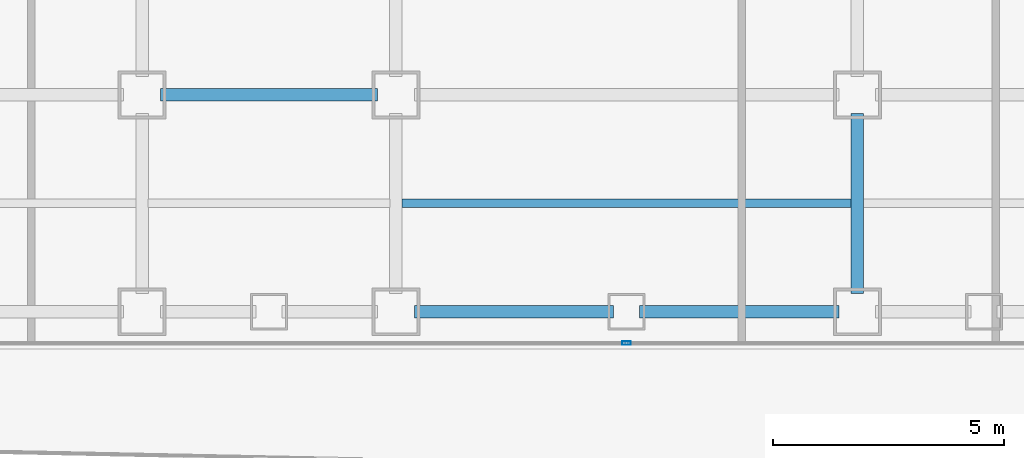
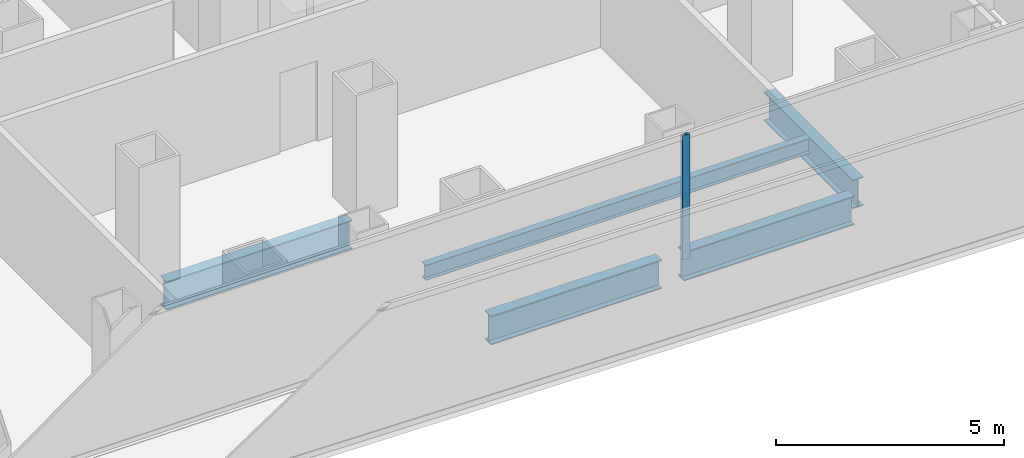
# One storey, part 4 of 21: 5 beams, 1 member, 1 element without a shape of its own.
"""IFC4 building model written with IfcOpenShell, lengths in metres."""

from ifc_helpers import new_model, si_unit, direction, frame, origin, origin_2d, place, context, subcontext, project, spatial, hollow_rectangle, i_section, extrude, source, transform, mapped, material, layer, layer_set, material_profile, profile_set, type_object, element, aggregate, save


model = new_model("IFC4")

# Units and contexts
model_context = context("Model", 3, precision=1e-05, world=origin(), true_north=direction((0.0, 1.0)))
body_context = subcontext(model_context, "Body", "Model", "MODEL_VIEW")
ifc_project = project(units=[si_unit("LENGTHUNIT", "METRE"), si_unit("AREAUNIT", "SQUARE_METRE"), si_unit("VOLUMEUNIT", "CUBIC_METRE"), si_unit("PLANEANGLEUNIT", "RADIAN"), si_unit("MASSUNIT", "GRAM", prefix="KILO")], contexts=[model_context])

# Site, building, storey
site_placement = place(None, origin())
site = spatial("IfcSite", under=ifc_project, at=site_placement, CompositionType="ELEMENT")
building_placement = place(site_placement, origin())
building = spatial("IfcBuilding", under=site, at=building_placement, Name="Kolveth Station Tower", CompositionType="ELEMENT")
storey_placement = place(building_placement, frame((0.0, 0.0, 44.10009765625)))
storey = spatial("IfcBuildingStorey", under=building, at=storey_placement, Name="L11", CompositionType="ELEMENT", Elevation=44.10009765625)

# Beams
ifc_material_1 = material(Name="Steel S355", Category="steel")
ifc_material_profile_1 = material_profile(ifc_material_1, i_section(OverallWidth=0.26904296875, OverallDepth=0.77490234375, WebThickness=0.01708984375, FlangeThickness=0.0283203125, at=origin_2d()), Name="W760x220")
ifc_profile_set_1 = profile_set([ifc_material_profile_1], Name="Steel S355")
beam_type_1 = type_object("IfcBeamType", Name="Beam_SP1", PredefinedType="SPANDREL", material=ifc_profile_set_1)
shared_shape_1 = source(origin(), body_context, "Body", "SweptSolid", [
    extrude(i_section(OverallWidth=0.26904296875, OverallDepth=0.77490234375, WebThickness=0.01708984375, FlangeThickness=0.0283203125, at=origin_2d()), origin(), (0.0, 0.0, 1.0), 4.320068359375),
])
for number, where, z_axis, x_axis, name in (
    (1, (18.89990234375, 0.800048828125, -0.66748046875), (1.0, 0.0, 0.0), (0.0, 1.0, 0.0), "L11 Perimeter Spandrel BM-L11-PS-5"),
    (2, (23.780029296875, 0.800048828125, -0.66748046875), (1.0, 0.0, 0.0), (0.0, 1.0, 0.0), "L11 Perimeter Spandrel BM-L11-PS-6"),
):
    element("IfcBeam", number, at=place(storey_placement, frame(where, z_axis=z_axis, x_axis=x_axis)), inside=storey, type_object=beam_type_1, Name=name, PredefinedType="SPANDREL", context=body_context, shape_type="MappedRepresentation", body=[
        mapped(shared_shape_1, transform((0.0, 0.0, 0.0), x_axis=(1.0, 0.0, 0.0), y_axis=(0.0, 1.0, 0.0), z_axis=(0.0, 0.0, 1.0), scale=1.0)),
    ])
ifc_material_profile_2 = material_profile(ifc_material_1, i_section(OverallWidth=0.26708984375, OverallDepth=0.76611328125, WebThickness=0.014892578125, FlangeThickness=0.023681640625, at=origin_2d()), Name="W760x185")
ifc_profile_set_2 = profile_set([ifc_material_profile_2], Name="Steel S355")
beam_type_2 = type_object("IfcBeamType", Name="Beam_B3", PredefinedType="BEAM", material=ifc_profile_set_2)
shared_shape_2 = source(origin(), body_context, "Body", "SweptSolid", [
    extrude(i_section(OverallWidth=0.26708984375, OverallDepth=0.76611328125, WebThickness=0.014892578125, FlangeThickness=0.023681640625, at=origin_2d()), origin(), (0.0, 0.0, 1.0), 4.7001953125),
])
beam_1_placement = place(storey_placement, frame((13.39990234375, 5.5, -0.6630859375), z_axis=(1.0, 0.0, 0.0), x_axis=(0.0, 1.0, 0.0)))
element("IfcBeam", 3, at=beam_1_placement, inside=storey, type_object=beam_type_2, Name="L11 Primary Girder BM-L11-GY55-3", PredefinedType="BEAM", context=body_context, shape_type="MappedRepresentation", body=[
    mapped(shared_shape_2, transform((0.0, 0.0, 0.0), x_axis=(1.0, 0.0, 0.0), y_axis=(0.0, 1.0, 0.0), z_axis=(0.0, 0.0, 1.0), scale=1.0)),
])
shared_shape_3 = source(origin(), body_context, "Body", "SweptSolid", [
    extrude(i_section(OverallWidth=0.26708984375, OverallDepth=0.76611328125, WebThickness=0.014892578125, FlangeThickness=0.023681640625, at=origin_2d()), origin(), (0.0, 0.0, 1.0), 3.900146484375),
])
beam_2_placement = place(storey_placement, frame((28.5, 1.199951171875, -0.6630859375), z_axis=(0.0, 1.0, 0.0), x_axis=(-1.0, 0.0, 0.0)))
element("IfcBeam", 4, at=beam_2_placement, inside=storey, type_object=beam_type_2, Name="L11 Primary Girder BM-L11-GX285-1", PredefinedType="BEAM", context=body_context, shape_type="MappedRepresentation", body=[
    mapped(shared_shape_3, transform((0.0, 0.0, 0.0), x_axis=(1.0, 0.0, 0.0), y_axis=(0.0, 1.0, 0.0), z_axis=(0.0, 0.0, 1.0), scale=1.0)),
])
ifc_material_profile_3 = material_profile(ifc_material_1, i_section(OverallWidth=0.177978515625, OverallDepth=0.406982421875, WebThickness=0.0078125, FlangeThickness=0.0126953125, at=origin_2d()), Name="W410x60")
ifc_profile_set_3 = profile_set([ifc_material_profile_3], Name="Steel S355")
beam_type_3 = type_object("IfcBeamType", Name="Beam_J1", PredefinedType="JOIST", material=ifc_profile_set_3)
shared_shape_4 = source(origin(), body_context, "Body", "SweptSolid", [
    extrude(i_section(OverallWidth=0.177978515625, OverallDepth=0.406982421875, WebThickness=0.0078125, FlangeThickness=0.0126953125, at=origin_2d()), origin(), (0.0, 0.0, 1.0), 9.73681640625),
])
beam_3_placement = place(storey_placement, frame((18.631591796875, 3.14990234375, -0.483642578125), z_axis=(1.0, 0.0, 0.0), x_axis=(0.0, 1.0, 0.0)))
element("IfcBeam", 5, at=beam_3_placement, inside=storey, type_object=beam_type_3, Name="L11 Secondary Joist JST-L11-4-1", PredefinedType="JOIST", context=body_context, shape_type="MappedRepresentation", body=[
    mapped(shared_shape_4, transform((0.0, 0.0, 0.0), x_axis=(1.0, 0.0, 0.0), y_axis=(0.0, 1.0, 0.0), z_axis=(0.0, 0.0, 1.0), scale=1.0)),
])

# Curtain wall, member
ifc_material_2 = material(Name="Aluminium 6063-T6 and low-E dark glass", Category="aluminium")
ifc_layer = layer(ifc_material_2, 0.179931640625)
ifc_layer_set = layer_set([ifc_layer], Name="Aluminium 6063-T6 and low-E dark glass")
curtain_wall_type = type_object("IfcCurtainWallType", Name="CurtainWall_CW-Z1", PredefinedType="NOTDEFINED", material=ifc_layer_set)
curtain_wall_placement = place(storey_placement, origin())
curtain_wall = element("IfcCurtainWall", 6, at=curtain_wall_placement, inside=storey, type_object=curtain_wall_type, Name="L11 Inner Thermal Curtain Wall 12", PredefinedType="NOTDEFINED")
ifc_material_3 = material(Name="Black anodized aluminium 6063-T6", Category="aluminium")
ifc_material_profile_4 = material_profile(ifc_material_3, hollow_rectangle(XDim=0.074951171875, YDim=0.18994140625, WallThickness=0.0048828125, at=origin_2d()), Name="ALU-75x190x5")
ifc_profile_set_4 = profile_set([ifc_material_profile_4], Name="Black anodized aluminium 6063-T6")
member_type = type_object("IfcMemberType", Name="Mullion_ML1", PredefinedType="MULLION", material=ifc_profile_set_4)
shared_shape_5 = source(origin(), body_context, "Body", "SweptSolid", [
    extrude(hollow_rectangle(XDim=0.074951171875, YDim=0.18994140625, WallThickness=0.0048828125, at=origin_2d()), origin(), (0.0, 0.0, 1.0), 3.31982421875),
])
member_placement = place(storey_placement, frame((23.5, 0.1201171875, 0.0), z_axis=(0.0, 0.0, 1.0), x_axis=(0.0, 1.0, 0.0)))
member = element("IfcMember", 7, at=member_placement, type_object=member_type, Name="CW-Z1 mullion 2", PredefinedType="MULLION", context=body_context, shape_type="MappedRepresentation", body=[
    mapped(shared_shape_5, transform((0.0, 0.0, 0.0), x_axis=(1.0, 0.0, 0.0), y_axis=(0.0, 1.0, 0.0), z_axis=(0.0, 0.0, 1.0), scale=1.0)),
])
aggregate(curtain_wall, [member])

save(model, "model.ifc")
